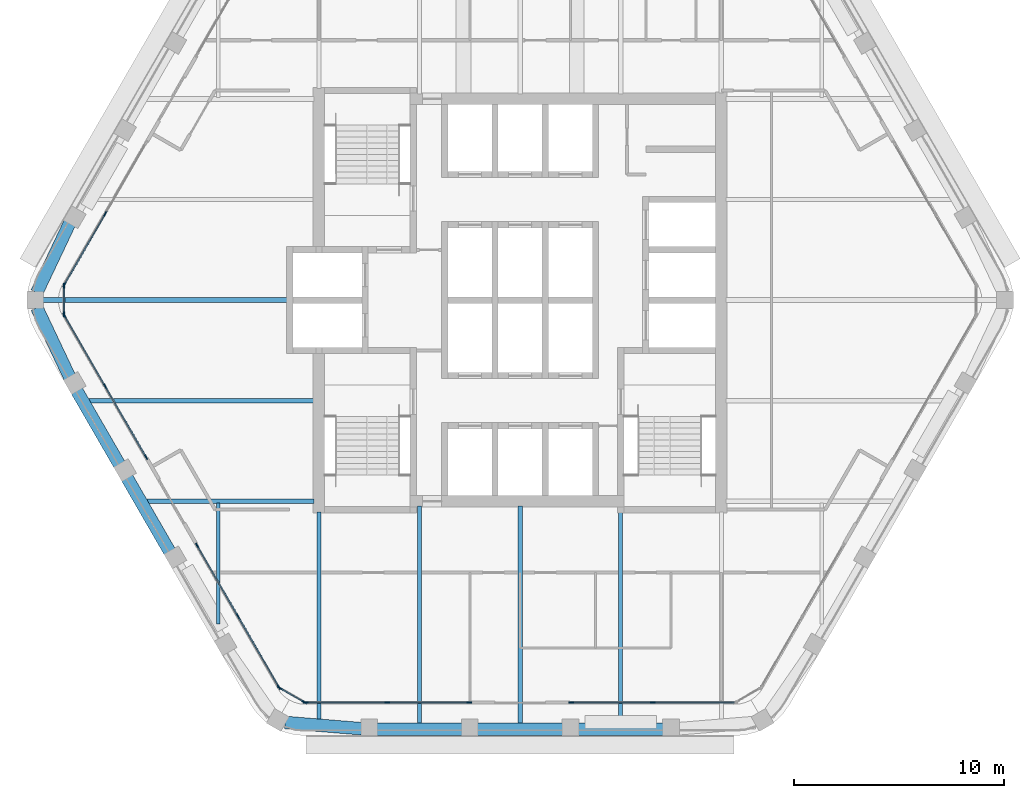
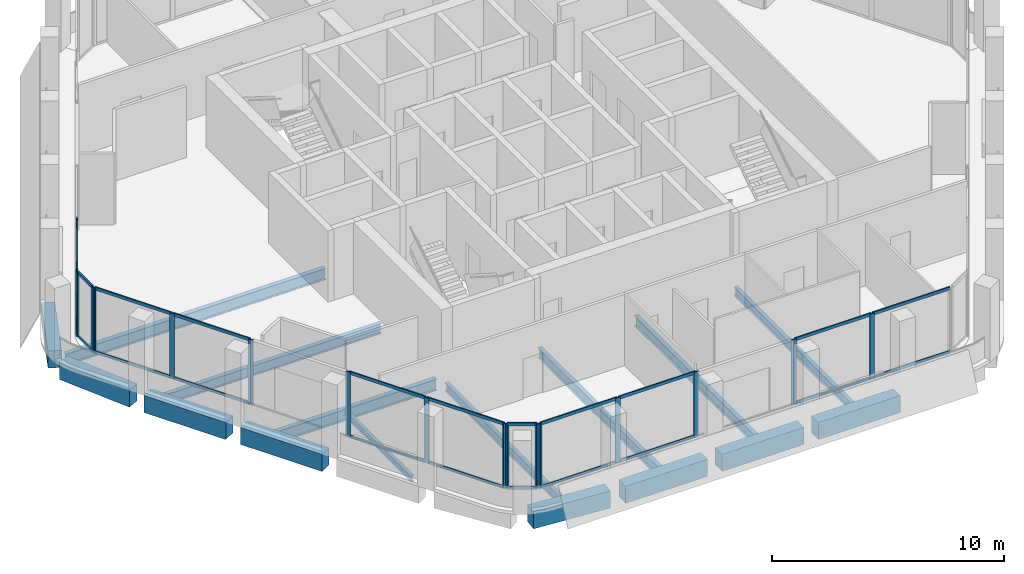
# One storey, part 2 of 14: 39 members, 16 beams, 7 elements without a shape of their own.
"""IFC4 building model written with IfcOpenShell, lengths in metres."""

from ifc_helpers import new_model, si_unit, direction, frame, origin, origin_2d, place, context, subcontext, project, spatial, rectangle, i_section, extrude, material, material_profile, profile_set, type_object, element, aggregate, save


model = new_model("IFC4")

# Units and contexts
model_context = context("Model", 3, precision=1e-05, world=origin(), true_north=direction((0.0, 1.0)))
body_context = subcontext(model_context, "Body", "Model", "MODEL_VIEW")
ifc_project = project(units=[si_unit("LENGTHUNIT", "METRE"), si_unit("AREAUNIT", "SQUARE_METRE"), si_unit("VOLUMEUNIT", "CUBIC_METRE"), si_unit("PLANEANGLEUNIT", "RADIAN"), si_unit("MASSUNIT", "GRAM", prefix="KILO")], contexts=[model_context])

# Site, building, storey
site_placement = place(None, origin())
site = spatial("IfcSite", under=ifc_project, at=site_placement, CompositionType="ELEMENT")
building_placement = place(site_placement, origin())
building = spatial("IfcBuilding", under=site, at=building_placement, Name="Kolab Exchange Tower", CompositionType="ELEMENT")
storey_placement = place(building_placement, frame((0.0, 0.0, 265.699951171875)))
storey = spatial("IfcBuildingStorey", under=building, at=storey_placement, Name="L59", CompositionType="ELEMENT", Elevation=265.699951171875)

# Beams
ifc_material_1 = material(Name="Steel S355", Category="steel")
ifc_material_profile_1 = material_profile(ifc_material_1, i_section(OverallWidth=0.1650390625, OverallDepth=0.31005859375, WebThickness=0.005859375, FlangeThickness=0.009765625, at=origin_2d()), Name="W310X39")
ifc_profile_set_1 = profile_set([ifc_material_profile_1], Name="Steel S355")
beam_type_1 = type_object("IfcBeamType", Name="FLOOR BEAM W310X39", PredefinedType="BEAM", material=ifc_profile_set_1)
beam_1_placement = place(storey_placement, frame((-14.39990234375, -15.4677734375, -0.304931640625), z_axis=(0.0, 1.0, 0.0), x_axis=(-1.0, 0.0, 0.0)))
element("IfcBeam", 1, at=beam_1_placement, inside=storey, type_object=beam_type_1, Name="beam/L59/fr/003", PredefinedType="BEAM", context=body_context, shape_type="SweptSolid", body=[
    extrude(i_section(OverallWidth=0.1650390625, OverallDepth=0.31005859375, WebThickness=0.005859375, FlangeThickness=0.009765625, at=origin_2d()), origin(), (0.0, 0.0, 1.0), 5.793701171875),
])
ifc_material_profile_2 = material_profile(ifc_material_1, i_section(OverallWidth=0.18994140625, OverallDepth=0.45703125, WebThickness=0.009033203125, FlangeThickness=0.014404296875, at=origin_2d()), Name="W460X74")
ifc_profile_set_2 = profile_set([ifc_material_profile_2], Name="Steel S355")
beam_type_2 = type_object("IfcBeamType", Name="FLOOR BEAM W460X74", PredefinedType="BEAM", material=ifc_profile_set_2)
beam_2_placement = place(storey_placement, frame((-9.60009765625, -20.027099609375, -0.37841796875), z_axis=(0.0, 1.0, 0.0), x_axis=(-1.0, 0.0, 0.0)))
element("IfcBeam", 2, at=beam_2_placement, inside=storey, type_object=beam_type_2, Name="beam/L59/fr/005", PredefinedType="BEAM", context=body_context, shape_type="SweptSolid", body=[
    extrude(i_section(OverallWidth=0.18994140625, OverallDepth=0.45703125, WebThickness=0.009033203125, FlangeThickness=0.014404296875, at=origin_2d()), origin(), (0.0, 0.0, 1.0), 9.9169921875),
])
beam_3_placement = place(storey_placement, frame((4.800048828125, -20.224609375, -0.37841796875), z_axis=(0.0, 1.0, 0.0), x_axis=(-1.0, 0.0, 0.0)))
element("IfcBeam", 3, at=beam_3_placement, inside=storey, type_object=beam_type_2, Name="beam/L59/fr/011", PredefinedType="BEAM", context=body_context, shape_type="SweptSolid", body=[
    extrude(i_section(OverallWidth=0.18994140625, OverallDepth=0.45703125, WebThickness=0.009033203125, FlangeThickness=0.014404296875, at=origin_2d()), origin(), (0.0, 0.0, 1.0), 10.114501953125),
])
ifc_material_profile_3 = material_profile(ifc_material_1, i_section(OverallWidth=0.208984375, OverallDepth=0.532958984375, WebThickness=0.01025390625, FlangeThickness=0.015625, at=origin_2d()), Name="W530X92")
ifc_profile_set_3 = profile_set([ifc_material_profile_3], Name="Steel S355")
beam_type_3 = type_object("IfcBeamType", Name="FLOOR BEAM W530X92", PredefinedType="BEAM", material=ifc_profile_set_3)
beam_4_placement = place(storey_placement, frame((-20.575927734375, -4.800048828125, -0.41650390625), z_axis=(1.0, 0.0, 0.0), x_axis=(0.0, 1.0, 0.0)))
element("IfcBeam", 4, at=beam_4_placement, inside=storey, type_object=beam_type_3, Name="beam/L59/fr/001", PredefinedType="BEAM", context=body_context, shape_type="SweptSolid", body=[
    extrude(i_section(OverallWidth=0.208984375, OverallDepth=0.532958984375, WebThickness=0.01025390625, FlangeThickness=0.015625, at=origin_2d()), origin(), (0.0, 0.0, 1.0), 10.740966796875),
])
for number, where, z_axis, x_axis, name in (
    (5, (-4.800048828125, -20.224609375, -0.41650390625), (0.0, 1.0, 0.0), (-1.0, 0.0, 0.0), "beam/L59/fr/007"),
    (6, (0.0, -20.224609375, -0.41650390625), (0.0, 1.0, 0.0), (-1.0, 0.0, 0.0), "beam/L59/fr/009"),
):
    element("IfcBeam", number, at=place(storey_placement, frame(where, z_axis=z_axis, x_axis=x_axis)), inside=storey, type_object=beam_type_3, Name=name, PredefinedType="BEAM", context=body_context, shape_type="SweptSolid", body=[
        extrude(i_section(OverallWidth=0.208984375, OverallDepth=0.532958984375, WebThickness=0.01025390625, FlangeThickness=0.015625, at=origin_2d()), origin(), (0.0, 0.0, 1.0), 10.3896484375),
    ])
ifc_material_profile_4 = material_profile(ifc_material_1, i_section(OverallWidth=0.22802734375, OverallDepth=0.60791015625, WebThickness=0.01123046875, FlangeThickness=0.017333984375, at=origin_2d()), Name="W610X113")
ifc_profile_set_4 = profile_set([ifc_material_profile_4], Name="Steel S355")
beam_type_4 = type_object("IfcBeamType", Name="FLOOR BEAM W610X113", PredefinedType="BEAM", material=ifc_profile_set_4)
beam_5_placement = place(storey_placement, frame((-22.77587890625, 0.0, -0.453857421875), z_axis=(1.0, 0.0, 0.0), x_axis=(0.0, 1.0, 0.0)))
element("IfcBeam", 7, at=beam_5_placement, inside=storey, type_object=beam_type_4, Name="beam/L59/fr/000", PredefinedType="BEAM", context=body_context, shape_type="SweptSolid", body=[
    extrude(i_section(OverallWidth=0.22802734375, OverallDepth=0.60791015625, WebThickness=0.01123046875, FlangeThickness=0.017333984375, at=origin_2d()), origin(), (0.0, 0.0, 1.0), 12.94091796875),
])
ifc_material_profile_5 = material_profile(ifc_material_1, i_section(OverallWidth=0.22802734375, OverallDepth=0.60791015625, WebThickness=0.01123046875, FlangeThickness=0.017333984375, at=origin_2d()), Name="W610X113")
ifc_profile_set_5 = profile_set([ifc_material_profile_5], Name="Steel S355")
beam_type_5 = type_object("IfcBeamType", Name="FLOOR GIRDER W610X113", PredefinedType="BEAM", material=ifc_profile_set_5)
beam_6_placement = place(storey_placement, frame((-17.8046875, -9.60009765625, -0.453857421875), z_axis=(1.0, 0.0, 0.0), x_axis=(0.0, 1.0, 0.0)))
element("IfcBeam", 8, at=beam_6_placement, inside=storey, type_object=beam_type_5, Name="beam/L59/gd/000", PredefinedType="BEAM", context=body_context, shape_type="SweptSolid", body=[
    extrude(i_section(OverallWidth=0.22802734375, OverallDepth=0.60791015625, WebThickness=0.01123046875, FlangeThickness=0.017333984375, at=origin_2d()), origin(), (0.0, 0.0, 1.0), 7.9697265625),
])
ifc_material_2 = material(Name="Concrete C50/60", Category="concrete")
ifc_material_profile_6 = material_profile(ifc_material_2, rectangle(XDim=0.60009765625, YDim=0.89990234375, at=origin_2d()), Name="RC600X900")
ifc_profile_set_6 = profile_set([ifc_material_profile_6], Name="Concrete C50/60")
beam_type_6 = type_object("IfcBeamType", Name="SPANDREL BEAM 600X900 C50/60", PredefinedType="BEAM", material=ifc_profile_set_6)
for number, where, z_axis, x_axis, name in (
    (9, (6.840087890625, -20.484619140625, -0.599853515625), (-1.0, 0.0, 0.0), (0.0, -1.0, 0.0), "beam/L59/sp/F4-02"),
    (10, (2.0400390625, -20.484619140625, -0.599853515625), (-1.0, 0.0, 0.0), (0.0, -1.0, 0.0), "beam/L59/sp/F4-03"),
    (11, (-2.760009765625, -20.484619140625, -0.599853515625), (-1.0, 0.0, 0.0), (0.0, -1.0, 0.0), "beam/L59/sp/F4-04"),
):
    element("IfcBeam", number, at=place(storey_placement, frame(where, z_axis=z_axis, x_axis=x_axis)), inside=storey, type_object=beam_type_6, Name=name, PredefinedType="BEAM", context=body_context, shape_type="SweptSolid", body=[
        extrude(rectangle(XDim=0.60009765625, YDim=0.89990234375, at=origin_2d()), origin(), (0.0, 0.0, 1.0), 4.080078125),
    ])
beam_7_placement = place(storey_placement, frame((-7.56005859375, -20.455078125, -0.599853515625), z_axis=(-0.996666751878, 0.081580547323, 0.0), x_axis=(-0.081580547323, -0.996666751878, 0.0)))
element("IfcBeam", 12, at=beam_7_placement, inside=storey, type_object=beam_type_6, Name="beam/L59/sp/F4-05", PredefinedType="BEAM", context=body_context, shape_type="SweptSolid", body=[
    extrude(rectangle(XDim=0.60009765625, YDim=0.89990234375, at=origin_2d()), origin(), (0.0, 0.0, 1.0), 3.6689453125),
])
for number, where, z_axis, x_axis, name in (
    (13, (-16.72021484375, -12.009033203125, -0.599853515625), (-0.500000428765, 0.866025156237, 0.0), (-0.866025156237, -0.500000428765, 0.0), "beam/L59/sp/F5-03"),
    (14, (-19.1201171875, -7.85205078125, -0.599853515625), (-0.500000428765, 0.866025156237, 0.0), (-0.866025156237, -0.500000428765, 0.0), "beam/L59/sp/F5-04"),
):
    element("IfcBeam", number, at=place(storey_placement, frame(where, z_axis=z_axis, x_axis=x_axis)), inside=storey, type_object=beam_type_6, Name=name, PredefinedType="BEAM", context=body_context, shape_type="SweptSolid", body=[
        extrude(rectangle(XDim=0.60009765625, YDim=0.89990234375, at=origin_2d()), origin(), (0.0, 0.0, 1.0), 4.080078125),
    ])
for number, where, z_axis, x_axis, name in (
    (15, (-21.49462890625, -3.68017578125, -0.599853515625), (-0.427677251998, 0.903931506323, 0.0), (-0.903931506323, -0.427677251998, 0.0), "beam/L59/sp/F5-05"),
    (16, (-23.063720703125, 0.36376953125, -0.599853515625), (0.427677251998, 0.903931506323, 0.0), (-0.903931506323, 0.427677251998, 0.0), "beam/L59/sp/F6-01"),
):
    element("IfcBeam", number, at=place(storey_placement, frame(where, z_axis=z_axis, x_axis=x_axis)), inside=storey, type_object=beam_type_6, Name=name, PredefinedType="BEAM", context=body_context, shape_type="SweptSolid", body=[
        extrude(rectangle(XDim=0.60009765625, YDim=0.89990234375, at=origin_2d()), origin(), (0.0, 0.0, 1.0), 3.6689453125),
    ])

# Curtain wall, members
ifc_material_3 = material(Name="Aluminium EN AW-6063 T6", Category="aluminium")
curtain_wall_type = type_object("IfcCurtainWallType", Name="UNITISED HIGH ZONE CURTAIN WALL", PredefinedType="NOTDEFINED", material=ifc_material_3)
curtain_wall_1_placement = place(storey_placement, origin())
curtain_wall_1 = element("IfcCurtainWall", 17, at=curtain_wall_1_placement, inside=storey, type_object=curtain_wall_type, Name="cw/L59/F4-1", PredefinedType="NOTDEFINED")
ifc_material_profile_7 = material_profile(ifc_material_3, rectangle(XDim=0.06005859375, YDim=0.239990234375, at=origin_2d()), Name="RECT 60X240")
ifc_profile_set_7 = profile_set([ifc_material_profile_7], Name="Aluminium EN AW-6063 T6")
member_type_1 = type_object("IfcMemberType", Name="UNITISED HIGH ZONE MULLION 60 X 240", PredefinedType="MULLION", material=ifc_profile_set_7)
member_1_placement = place(storey_placement, frame((6.333984375, -19.20458984375, 0.0), z_axis=(0.0, 0.0, 1.0), x_axis=(0.0, -1.0, 0.0)))
member_1 = element("IfcMember", 18, at=member_1_placement, type_object=member_type_1, Name="CW4 mullion 2", PredefinedType="MULLION", context=body_context, shape_type="SweptSolid", body=[
    extrude(rectangle(XDim=0.06005859375, YDim=0.239990234375, at=origin_2d()), origin(), (0.0, 0.0, 1.0), 3.400146484375),
])
member_2_placement = place(storey_placement, frame((2.429931640625, -19.20458984375, 0.0), z_axis=(0.0, 0.0, 1.0), x_axis=(0.0, -1.0, 0.0)))
member_2 = element("IfcMember", 19, at=member_2_placement, type_object=member_type_1, Name="CW4 mullion 3", PredefinedType="MULLION", context=body_context, shape_type="SweptSolid", body=[
    extrude(rectangle(XDim=0.06005859375, YDim=0.239990234375, at=origin_2d()), origin(), (0.0, 0.0, 1.0), 3.400146484375),
])

curtain_wall_2_placement = place(storey_placement, origin())
curtain_wall_2 = element("IfcCurtainWall", 20, at=curtain_wall_2_placement, inside=storey, type_object=curtain_wall_type, Name="cw/L59/F4-2", PredefinedType="NOTDEFINED")
member_3_placement = place(storey_placement, frame((-2.429931640625, -19.20458984375, 0.0), z_axis=(0.0, 0.0, 1.0), x_axis=(0.0, -1.0, 0.0)))
member_3 = element("IfcMember", 21, at=member_3_placement, type_object=member_type_1, Name="CW4 mullion 1", PredefinedType="MULLION", context=body_context, shape_type="SweptSolid", body=[
    extrude(rectangle(XDim=0.06005859375, YDim=0.239990234375, at=origin_2d()), origin(), (0.0, 0.0, 1.0), 3.400146484375),
])
member_4_placement = place(storey_placement, frame((-6.333984375, -19.20458984375, 0.0), z_axis=(0.0, 0.0, 1.0), x_axis=(0.0, -1.0, 0.0)))
member_4 = element("IfcMember", 22, at=member_4_placement, type_object=member_type_1, Name="CW4 mullion 2", PredefinedType="MULLION", context=body_context, shape_type="SweptSolid", body=[
    extrude(rectangle(XDim=0.06005859375, YDim=0.239990234375, at=origin_2d()), origin(), (0.0, 0.0, 1.0), 3.400146484375),
])
member_5_placement = place(storey_placement, frame((-10.238037109375, -19.20458984375, 0.0), z_axis=(0.0, 0.0, 1.0), x_axis=(0.0, -1.0, 0.0)))
member_5 = element("IfcMember", 23, at=member_5_placement, type_object=member_type_1, Name="CW4 mullion 3", PredefinedType="MULLION", context=body_context, shape_type="SweptSolid", body=[
    extrude(rectangle(XDim=0.06005859375, YDim=0.239990234375, at=origin_2d()), origin(), (0.0, 0.0, 1.0), 3.400146484375),
])

curtain_wall_3_placement = place(storey_placement, origin())
curtain_wall_3 = element("IfcCurtainWall", 24, at=curtain_wall_3_placement, inside=storey, type_object=curtain_wall_type, Name="cw/L59/F5-1", PredefinedType="NOTDEFINED")
member_6_placement = place(storey_placement, frame((-11.5126953125, -18.46875, 0.0), z_axis=(0.0, 0.0, 1.0), x_axis=(-0.866025385493, -0.500000031681, 0.0)))
member_6 = element("IfcMember", 25, at=member_6_placement, type_object=member_type_1, Name="CW4 mullion 1", PredefinedType="MULLION", context=body_context, shape_type="SweptSolid", body=[
    extrude(rectangle(XDim=0.06005859375, YDim=0.239990234375, at=origin_2d()), origin(), (0.0, 0.0, 1.0), 3.400146484375),
])
member_7_placement = place(storey_placement, frame((-13.464599609375, -15.087646484375, 0.0), z_axis=(0.0, 0.0, 1.0), x_axis=(-0.866025385493, -0.500000031681, 0.0)))
member_7 = element("IfcMember", 26, at=member_7_placement, type_object=member_type_1, Name="CW4 mullion 2", PredefinedType="MULLION", context=body_context, shape_type="SweptSolid", body=[
    extrude(rectangle(XDim=0.06005859375, YDim=0.239990234375, at=origin_2d()), origin(), (0.0, 0.0, 1.0), 3.400146484375),
])
member_8_placement = place(storey_placement, frame((-15.416748046875, -11.706787109375, 0.0), z_axis=(0.0, 0.0, 1.0), x_axis=(-0.866025385493, -0.500000031681, 0.0)))
member_8 = element("IfcMember", 27, at=member_8_placement, type_object=member_type_1, Name="CW4 mullion 3", PredefinedType="MULLION", context=body_context, shape_type="SweptSolid", body=[
    extrude(rectangle(XDim=0.06005859375, YDim=0.239990234375, at=origin_2d()), origin(), (0.0, 0.0, 1.0), 3.400146484375),
])

curtain_wall_4_placement = place(storey_placement, origin())
curtain_wall_4 = element("IfcCurtainWall", 28, at=curtain_wall_4_placement, inside=storey, type_object=curtain_wall_type, Name="cw/L59/F5-2", PredefinedType="NOTDEFINED")
member_9_placement = place(storey_placement, frame((-17.8466796875, -7.497802734375, 0.0), z_axis=(0.0, 0.0, 1.0), x_axis=(-0.866025440524, -0.499999936366, 0.0)))
member_9 = element("IfcMember", 29, at=member_9_placement, type_object=member_type_1, Name="CW4 mullion 1", PredefinedType="MULLION", context=body_context, shape_type="SweptSolid", body=[
    extrude(rectangle(XDim=0.06005859375, YDim=0.239990234375, at=origin_2d()), origin(), (0.0, 0.0, 1.0), 3.400146484375),
])
member_10_placement = place(storey_placement, frame((-19.798583984375, -4.116943359375, 0.0), z_axis=(0.0, 0.0, 1.0), x_axis=(-0.866025440524, -0.499999936366, 0.0)))
member_10 = element("IfcMember", 30, at=member_10_placement, type_object=member_type_1, Name="CW4 mullion 2", PredefinedType="MULLION", context=body_context, shape_type="SweptSolid", body=[
    extrude(rectangle(XDim=0.06005859375, YDim=0.239990234375, at=origin_2d()), origin(), (0.0, 0.0, 1.0), 3.400146484375),
])
member_11_placement = place(storey_placement, frame((-21.750732421875, -0.736083984375, 0.0), z_axis=(0.0, 0.0, 1.0), x_axis=(-0.866025440524, -0.499999936366, 0.0)))
member_11 = element("IfcMember", 31, at=member_11_placement, type_object=member_type_1, Name="CW4 mullion 3", PredefinedType="MULLION", context=body_context, shape_type="SweptSolid", body=[
    extrude(rectangle(XDim=0.06005859375, YDim=0.239990234375, at=origin_2d()), origin(), (0.0, 0.0, 1.0), 3.400146484375),
])

curtain_wall_5_placement = place(storey_placement, origin())
curtain_wall_5 = element("IfcCurtainWall", 32, at=curtain_wall_5_placement, inside=storey, type_object=curtain_wall_type, Name="cw/L59/F6-1", PredefinedType="NOTDEFINED")
member_12_placement = place(storey_placement, frame((-21.750732421875, 0.736083984375, 0.0), z_axis=(0.0, 0.0, 1.0), x_axis=(-0.866025440524, 0.499999936366, 0.0)))
member_12 = element("IfcMember", 33, at=member_12_placement, type_object=member_type_1, Name="CW4 mullion 1", PredefinedType="MULLION", context=body_context, shape_type="SweptSolid", body=[
    extrude(rectangle(XDim=0.06005859375, YDim=0.239990234375, at=origin_2d()), origin(), (0.0, 0.0, 1.0), 3.400146484375),
])
member_13_placement = place(storey_placement, frame((-19.798583984375, 4.116943359375, 0.0), z_axis=(0.0, 0.0, 1.0), x_axis=(-0.866025440524, 0.499999936366, 0.0)))
member_13 = element("IfcMember", 34, at=member_13_placement, type_object=member_type_1, Name="CW4 mullion 2", PredefinedType="MULLION", context=body_context, shape_type="SweptSolid", body=[
    extrude(rectangle(XDim=0.06005859375, YDim=0.239990234375, at=origin_2d()), origin(), (0.0, 0.0, 1.0), 3.400146484375),
])

curtain_wall_6_placement = place(storey_placement, origin())
curtain_wall_6 = element("IfcCurtainWall", 35, at=curtain_wall_6_placement, inside=storey, type_object=curtain_wall_type, Name="cw/L59/F4F5-corner", PredefinedType="NOTDEFINED")
member_14_placement = place(storey_placement, frame((-10.2939453125, -19.189697265625, 0.0), z_axis=(0.0, 0.0, 1.0), x_axis=(-0.50000002237, -0.866025390869, 0.0)))
member_14 = element("IfcMember", 36, at=member_14_placement, type_object=member_type_1, Name="CW4 mullion 1", PredefinedType="MULLION", context=body_context, shape_type="SweptSolid", body=[
    extrude(rectangle(XDim=0.06005859375, YDim=0.239990234375, at=origin_2d()), origin(), (0.0, 0.0, 1.0), 3.400146484375),
])
member_15_placement = place(storey_placement, frame((-11.4716796875, -18.509521484375, 0.0), z_axis=(0.0, 0.0, 1.0), x_axis=(-0.50000002237, -0.866025390869, 0.0)))
member_15 = element("IfcMember", 37, at=member_15_placement, type_object=member_type_1, Name="CW4 mullion 2", PredefinedType="MULLION", context=body_context, shape_type="SweptSolid", body=[
    extrude(rectangle(XDim=0.06005859375, YDim=0.239990234375, at=origin_2d()), origin(), (0.0, 0.0, 1.0), 3.400146484375),
])

curtain_wall_7_placement = place(storey_placement, origin())
curtain_wall_7 = element("IfcCurtainWall", 38, at=curtain_wall_7_placement, inside=storey, type_object=curtain_wall_type, Name="cw/L59/F5F6-corner", PredefinedType="NOTDEFINED")
member_16_placement = place(storey_placement, frame((-21.765625, -0.679931640625, 0.0), z_axis=(0.0, 0.0, 1.0), x_axis=(-1.0, 0.0, 0.0)))
member_16 = element("IfcMember", 39, at=member_16_placement, type_object=member_type_1, Name="CW4 mullion 1", PredefinedType="MULLION", context=body_context, shape_type="SweptSolid", body=[
    extrude(rectangle(XDim=0.06005859375, YDim=0.239990234375, at=origin_2d()), origin(), (0.0, 0.0, 1.0), 3.400146484375),
])
member_17_placement = place(storey_placement, frame((-21.765625, 0.679931640625, 0.0), z_axis=(0.0, 0.0, 1.0), x_axis=(-1.0, 0.0, 0.0)))
member_17 = element("IfcMember", 40, at=member_17_placement, type_object=member_type_1, Name="CW4 mullion 2", PredefinedType="MULLION", context=body_context, shape_type="SweptSolid", body=[
    extrude(rectangle(XDim=0.06005859375, YDim=0.239990234375, at=origin_2d()), origin(), (0.0, 0.0, 1.0), 3.400146484375),
])

# Member
ifc_material_profile_8 = material_profile(ifc_material_3, rectangle(XDim=0.06005859375, YDim=0.159912109375, at=origin_2d()), Name="RECT 60X160")
ifc_profile_set_8 = profile_set([ifc_material_profile_8], Name="Aluminium EN AW-6063 T6")
member_type_2 = type_object("IfcMemberType", Name="UNITISED HIGH ZONE TRANSOM 60 X 160", PredefinedType="USERDEFINED", material=ifc_profile_set_8)
member_18_placement = place(storey_placement, frame((10.2080078125, -19.20458984375, 0.030029296875), z_axis=(-1.0, 0.0, 0.0), x_axis=(0.0, -1.0, 0.0)))
member_18 = element("IfcMember", 41, at=member_18_placement, type_object=member_type_2, Name="CW4 transom 1.1", ObjectType="TRANSOM", PredefinedType="USERDEFINED", context=body_context, shape_type="SweptSolid", body=[
    extrude(rectangle(XDim=0.06005859375, YDim=0.159912109375, at=origin_2d()), origin(), (0.0, 0.0, 1.0), 3.843994140625),
])

member_19_placement = place(storey_placement, frame((10.2080078125, -19.20458984375, 3.3701171875), z_axis=(-1.0, 0.0, 0.0), x_axis=(0.0, -1.0, 0.0)))
member_19 = element("IfcMember", 42, at=member_19_placement, type_object=member_type_2, Name="CW4 transom 1.2", ObjectType="TRANSOM", PredefinedType="USERDEFINED", context=body_context, shape_type="SweptSolid", body=[
    extrude(rectangle(XDim=0.06005859375, YDim=0.159912109375, at=origin_2d()), origin(), (0.0, 0.0, 1.0), 3.843994140625),
])

member_20_placement = place(storey_placement, frame((6.303955078125, -19.20458984375, 0.030029296875), z_axis=(-1.0, 0.0, 0.0), x_axis=(0.0, -1.0, 0.0)))
member_20 = element("IfcMember", 43, at=member_20_placement, type_object=member_type_2, Name="CW4 transom 2.1", ObjectType="TRANSOM", PredefinedType="USERDEFINED", context=body_context, shape_type="SweptSolid", body=[
    extrude(rectangle(XDim=0.06005859375, YDim=0.159912109375, at=origin_2d()), origin(), (0.0, 0.0, 1.0), 3.843994140625),
])

member_21_placement = place(storey_placement, frame((6.303955078125, -19.20458984375, 3.3701171875), z_axis=(-1.0, 0.0, 0.0), x_axis=(0.0, -1.0, 0.0)))
member_21 = element("IfcMember", 44, at=member_21_placement, type_object=member_type_2, Name="CW4 transom 2.2", ObjectType="TRANSOM", PredefinedType="USERDEFINED", context=body_context, shape_type="SweptSolid", body=[
    extrude(rectangle(XDim=0.06005859375, YDim=0.159912109375, at=origin_2d()), origin(), (0.0, 0.0, 1.0), 3.843994140625),
])

aggregate(curtain_wall_1, [member_1, member_2, member_18, member_19, member_20, member_21])

member_22_placement = place(storey_placement, frame((-2.4599609375, -19.20458984375, 0.030029296875), z_axis=(-1.0, 0.0, 0.0), x_axis=(0.0, -1.0, 0.0)))
member_22 = element("IfcMember", 45, at=member_22_placement, type_object=member_type_2, Name="CW4 transom 1.1", ObjectType="TRANSOM", PredefinedType="USERDEFINED", context=body_context, shape_type="SweptSolid", body=[
    extrude(rectangle(XDim=0.06005859375, YDim=0.159912109375, at=origin_2d()), origin(), (0.0, 0.0, 1.0), 3.843994140625),
])

member_23_placement = place(storey_placement, frame((-2.4599609375, -19.20458984375, 3.3701171875), z_axis=(-1.0, 0.0, 0.0), x_axis=(0.0, -1.0, 0.0)))
member_23 = element("IfcMember", 46, at=member_23_placement, type_object=member_type_2, Name="CW4 transom 1.2", ObjectType="TRANSOM", PredefinedType="USERDEFINED", context=body_context, shape_type="SweptSolid", body=[
    extrude(rectangle(XDim=0.06005859375, YDim=0.159912109375, at=origin_2d()), origin(), (0.0, 0.0, 1.0), 3.843994140625),
])

member_24_placement = place(storey_placement, frame((-6.364013671875, -19.20458984375, 0.030029296875), z_axis=(-1.0, 0.0, 0.0), x_axis=(0.0, -1.0, 0.0)))
member_24 = element("IfcMember", 47, at=member_24_placement, type_object=member_type_2, Name="CW4 transom 2.1", ObjectType="TRANSOM", PredefinedType="USERDEFINED", context=body_context, shape_type="SweptSolid", body=[
    extrude(rectangle(XDim=0.06005859375, YDim=0.159912109375, at=origin_2d()), origin(), (0.0, 0.0, 1.0), 3.843994140625),
])

member_25_placement = place(storey_placement, frame((-6.364013671875, -19.20458984375, 3.3701171875), z_axis=(-1.0, 0.0, 0.0), x_axis=(0.0, -1.0, 0.0)))
member_25 = element("IfcMember", 48, at=member_25_placement, type_object=member_type_2, Name="CW4 transom 2.2", ObjectType="TRANSOM", PredefinedType="USERDEFINED", context=body_context, shape_type="SweptSolid", body=[
    extrude(rectangle(XDim=0.06005859375, YDim=0.159912109375, at=origin_2d()), origin(), (0.0, 0.0, 1.0), 3.843994140625),
])

aggregate(curtain_wall_2, [member_3, member_4, member_5, member_22, member_23, member_24, member_25])

member_26_placement = place(storey_placement, frame((-11.527587890625, -18.442626953125, 0.030029296875), z_axis=(-0.500039492609, 0.866002601515, 0.0), x_axis=(-0.866002601515, -0.500039492609, 0.0)))
member_26 = element("IfcMember", 49, at=member_26_placement, type_object=member_type_2, Name="CW4 transom 1.1", ObjectType="TRANSOM", PredefinedType="USERDEFINED", context=body_context, shape_type="SweptSolid", body=[
    extrude(rectangle(XDim=0.06005859375, YDim=0.159912109375, at=origin_2d()), origin(), (0.0, 0.0, 1.0), 3.843994140625),
])

member_27_placement = place(storey_placement, frame((-11.527587890625, -18.442626953125, 3.3701171875), z_axis=(-0.500039492609, 0.866002601515, 0.0), x_axis=(-0.866002601515, -0.500039492609, 0.0)))
member_27 = element("IfcMember", 50, at=member_27_placement, type_object=member_type_2, Name="CW4 transom 1.2", ObjectType="TRANSOM", PredefinedType="USERDEFINED", context=body_context, shape_type="SweptSolid", body=[
    extrude(rectangle(XDim=0.06005859375, YDim=0.159912109375, at=origin_2d()), origin(), (0.0, 0.0, 1.0), 3.843994140625),
])

member_28_placement = place(storey_placement, frame((-13.479736328125, -15.061767578125, 0.030029296875), z_axis=(-0.499964356602, 0.866045981532, 0.0), x_axis=(-0.866045981532, -0.499964356602, 0.0)))
member_28 = element("IfcMember", 51, at=member_28_placement, type_object=member_type_2, Name="CW4 transom 2.1", ObjectType="TRANSOM", PredefinedType="USERDEFINED", context=body_context, shape_type="SweptSolid", body=[
    extrude(rectangle(XDim=0.06005859375, YDim=0.159912109375, at=origin_2d()), origin(), (0.0, 0.0, 1.0), 3.843994140625),
])

member_29_placement = place(storey_placement, frame((-13.479736328125, -15.061767578125, 3.3701171875), z_axis=(-0.499964356602, 0.866045981532, 0.0), x_axis=(-0.866045981532, -0.499964356602, 0.0)))
member_29 = element("IfcMember", 52, at=member_29_placement, type_object=member_type_2, Name="CW4 transom 2.2", ObjectType="TRANSOM", PredefinedType="USERDEFINED", context=body_context, shape_type="SweptSolid", body=[
    extrude(rectangle(XDim=0.06005859375, YDim=0.159912109375, at=origin_2d()), origin(), (0.0, 0.0, 1.0), 3.843994140625),
])

aggregate(curtain_wall_3, [member_6, member_7, member_8, member_26, member_27, member_28, member_29])

member_30_placement = place(storey_placement, frame((-17.861572265625, -7.471923828125, 0.030029296875), z_axis=(-0.500011990396, 0.866018481016, 0.0), x_axis=(-0.866018481016, -0.500011990396, 0.0)))
member_30 = element("IfcMember", 53, at=member_30_placement, type_object=member_type_2, Name="CW4 transom 1.1", ObjectType="TRANSOM", PredefinedType="USERDEFINED", context=body_context, shape_type="SweptSolid", body=[
    extrude(rectangle(XDim=0.06005859375, YDim=0.159912109375, at=origin_2d()), origin(), (0.0, 0.0, 1.0), 3.84423828125),
])

member_31_placement = place(storey_placement, frame((-17.861572265625, -7.471923828125, 3.3701171875), z_axis=(-0.500011990396, 0.866018481016, 0.0), x_axis=(-0.866018481016, -0.500011990396, 0.0)))
member_31 = element("IfcMember", 54, at=member_31_placement, type_object=member_type_2, Name="CW4 transom 1.2", ObjectType="TRANSOM", PredefinedType="USERDEFINED", context=body_context, shape_type="SweptSolid", body=[
    extrude(rectangle(XDim=0.06005859375, YDim=0.159912109375, at=origin_2d()), origin(), (0.0, 0.0, 1.0), 3.84423828125),
])

member_32_placement = place(storey_placement, frame((-19.813720703125, -4.0908203125, 0.030029296875), z_axis=(-0.499991857942, 0.866030104553, 0.0), x_axis=(-0.866030104553, -0.499991857942, 0.0)))
member_32 = element("IfcMember", 55, at=member_32_placement, type_object=member_type_2, Name="CW4 transom 2.1", ObjectType="TRANSOM", PredefinedType="USERDEFINED", context=body_context, shape_type="SweptSolid", body=[
    extrude(rectangle(XDim=0.06005859375, YDim=0.159912109375, at=origin_2d()), origin(), (0.0, 0.0, 1.0), 3.84375),
])

member_33_placement = place(storey_placement, frame((-19.813720703125, -4.0908203125, 3.3701171875), z_axis=(-0.499991857942, 0.866030104553, 0.0), x_axis=(-0.866030104553, -0.499991857942, 0.0)))
member_33 = element("IfcMember", 56, at=member_33_placement, type_object=member_type_2, Name="CW4 transom 2.2", ObjectType="TRANSOM", PredefinedType="USERDEFINED", context=body_context, shape_type="SweptSolid", body=[
    extrude(rectangle(XDim=0.06005859375, YDim=0.159912109375, at=origin_2d()), origin(), (0.0, 0.0, 1.0), 3.84375),
])

aggregate(curtain_wall_4, [member_9, member_10, member_11, member_30, member_31, member_32, member_33])

member_34_placement = place(storey_placement, frame((-21.735595703125, 0.761962890625, 0.030029296875), z_axis=(0.499991857942, 0.866030104553, 0.0), x_axis=(-0.866030104553, 0.499991857942, 0.0)))
member_34 = element("IfcMember", 57, at=member_34_placement, type_object=member_type_2, Name="CW4 transom 1.1", ObjectType="TRANSOM", PredefinedType="USERDEFINED", context=body_context, shape_type="SweptSolid", body=[
    extrude(rectangle(XDim=0.06005859375, YDim=0.159912109375, at=origin_2d()), origin(), (0.0, 0.0, 1.0), 3.84375),
])

member_35_placement = place(storey_placement, frame((-21.735595703125, 0.761962890625, 3.3701171875), z_axis=(0.499991857942, 0.866030104553, 0.0), x_axis=(-0.866030104553, 0.499991857942, 0.0)))
member_35 = element("IfcMember", 58, at=member_35_placement, type_object=member_type_2, Name="CW4 transom 1.2", ObjectType="TRANSOM", PredefinedType="USERDEFINED", context=body_context, shape_type="SweptSolid", body=[
    extrude(rectangle(XDim=0.06005859375, YDim=0.159912109375, at=origin_2d()), origin(), (0.0, 0.0, 1.0), 3.84375),
])

aggregate(curtain_wall_5, [member_12, member_13, member_34, member_35])

member_36_placement = place(storey_placement, frame((-10.31982421875, -19.174560546875, 0.030029296875), z_axis=(-0.866085525409, 0.49989585183, 0.0), x_axis=(-0.49989585183, -0.866085525409, 0.0)))
member_36 = element("IfcMember", 59, at=member_36_placement, type_object=member_type_2, Name="CW4 transom 1.1", ObjectType="TRANSOM", PredefinedType="USERDEFINED", context=body_context, shape_type="SweptSolid", body=[
    extrude(rectangle(XDim=0.06005859375, YDim=0.159912109375, at=origin_2d()), origin(), (0.0, 0.0, 1.0), 1.300048828125),
])

member_37_placement = place(storey_placement, frame((-10.31982421875, -19.174560546875, 3.3701171875), z_axis=(-0.866085525409, 0.49989585183, 0.0), x_axis=(-0.49989585183, -0.866085525409, 0.0)))
member_37 = element("IfcMember", 60, at=member_37_placement, type_object=member_type_2, Name="CW4 transom 1.2", ObjectType="TRANSOM", PredefinedType="USERDEFINED", context=body_context, shape_type="SweptSolid", body=[
    extrude(rectangle(XDim=0.06005859375, YDim=0.159912109375, at=origin_2d()), origin(), (0.0, 0.0, 1.0), 1.300048828125),
])

aggregate(curtain_wall_6, [member_14, member_15, member_36, member_37])

member_38_placement = place(storey_placement, frame((-21.765625, -0.64990234375, 0.030029296875), z_axis=(0.0, 1.0, 0.0), x_axis=(-1.0, 0.0, 0.0)))
member_38 = element("IfcMember", 61, at=member_38_placement, type_object=member_type_2, Name="CW4 transom 1.1", ObjectType="TRANSOM", PredefinedType="USERDEFINED", context=body_context, shape_type="SweptSolid", body=[
    extrude(rectangle(XDim=0.06005859375, YDim=0.159912109375, at=origin_2d()), origin(), (0.0, 0.0, 1.0), 1.2998046875),
])

member_39_placement = place(storey_placement, frame((-21.765625, -0.64990234375, 3.3701171875), z_axis=(0.0, 1.0, 0.0), x_axis=(-1.0, 0.0, 0.0)))
member_39 = element("IfcMember", 62, at=member_39_placement, type_object=member_type_2, Name="CW4 transom 1.2", ObjectType="TRANSOM", PredefinedType="USERDEFINED", context=body_context, shape_type="SweptSolid", body=[
    extrude(rectangle(XDim=0.06005859375, YDim=0.159912109375, at=origin_2d()), origin(), (0.0, 0.0, 1.0), 1.2998046875),
])

aggregate(curtain_wall_7, [member_16, member_17, member_38, member_39])

save(model, "model.ifc")
